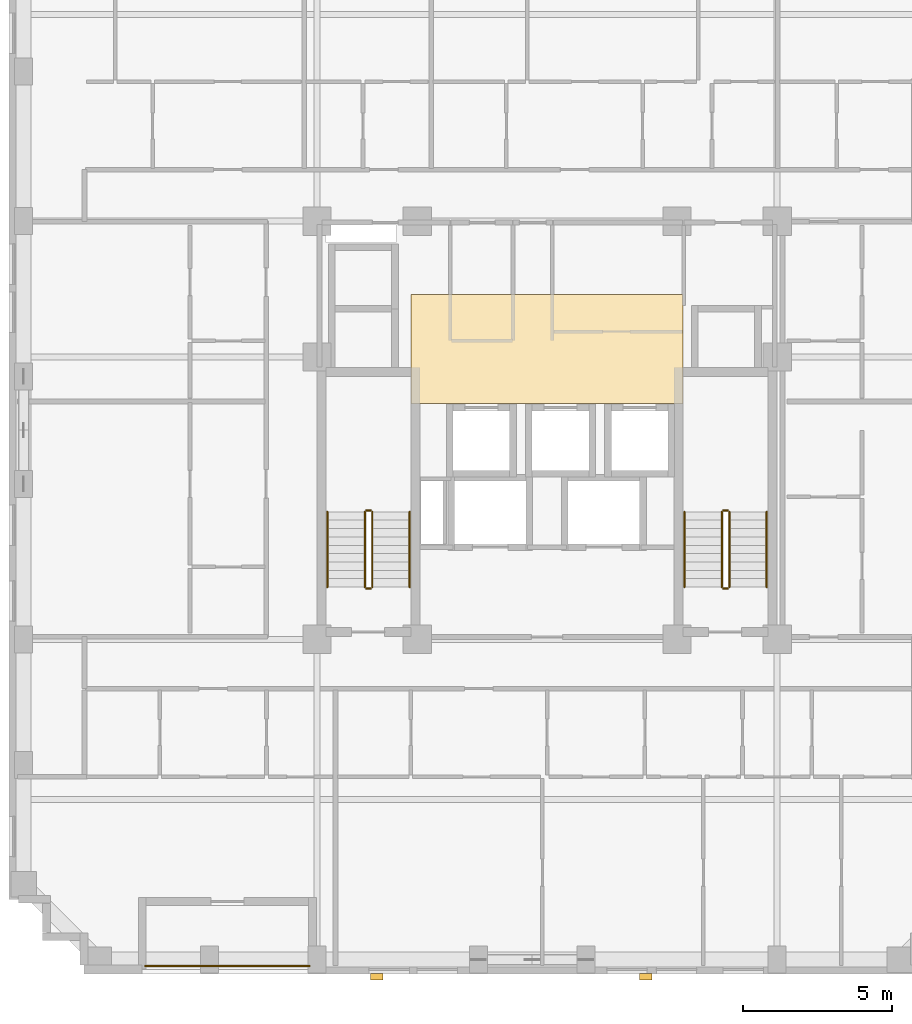
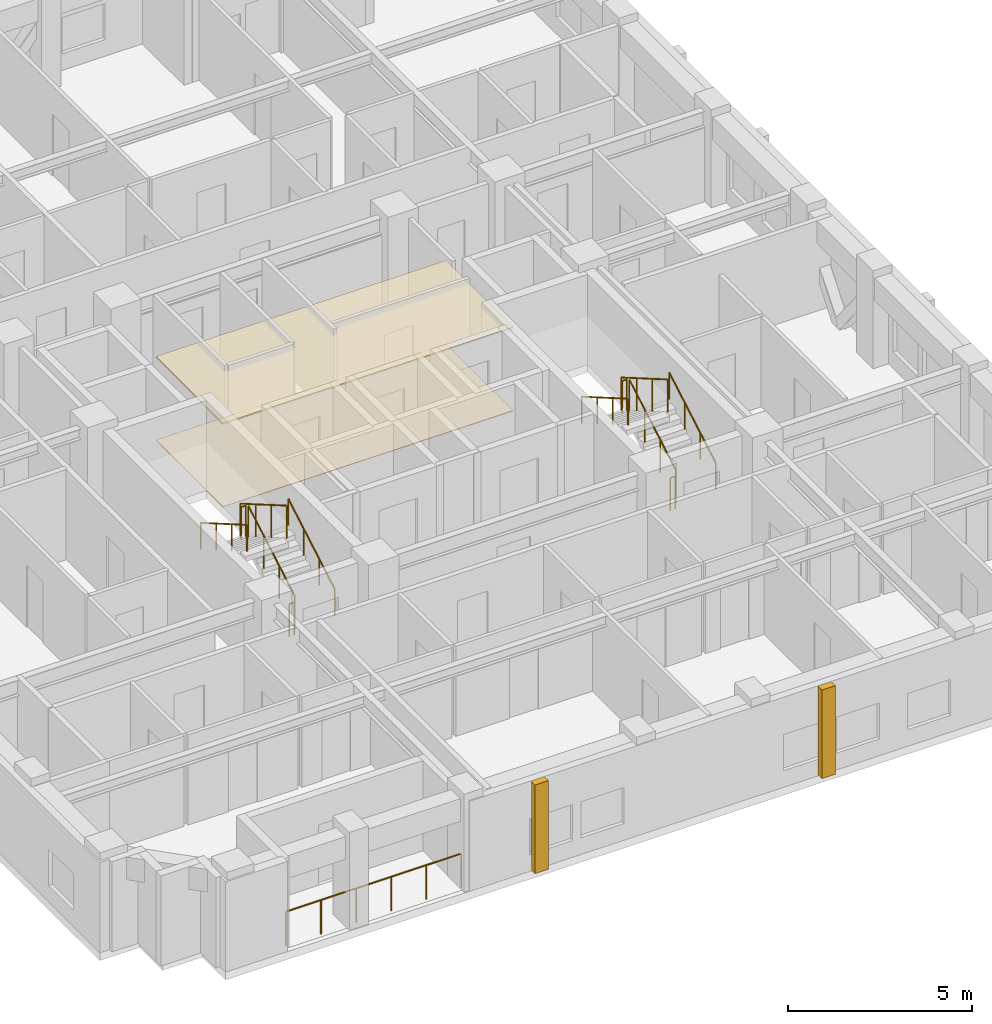
# One storey, part 10 of 11: 13 railings, 4 coverings.
"""IFC4 building model written with IfcOpenShell, lengths in metres."""

from ifc_helpers import new_model, si_unit, derived_unit, direction, frame, origin, origin_2d, place, context, subcontext, project, spatial, polyline, rectangle, circle, outline, extrude, material, layer, layer_set, type_object, element, save


model = new_model("IFC4")

# Units and contexts
model_context = context("Model", 3, precision=1e-05, world=origin(), true_north=direction((0.0, 1.0)))
body_context = subcontext(model_context, "Body", "Model", "MODEL_VIEW")
ifc_project = project(units=[si_unit("LENGTHUNIT", "METRE"), si_unit("AREAUNIT", "SQUARE_METRE"), si_unit("VOLUMEUNIT", "CUBIC_METRE"), si_unit("PLANEANGLEUNIT", "RADIAN"), si_unit("MASSUNIT", "GRAM", prefix="KILO"), derived_unit("THERMALTRANSMITTANCEUNIT", [(si_unit("MASSUNIT", "GRAM", prefix="KILO"), 1), (si_unit("TIMEUNIT", "SECOND"), -3), (si_unit("THERMODYNAMICTEMPERATUREUNIT", "KELVIN"), -1)])], contexts=[model_context])

# Site, building, storey
site_placement = place(None, origin())
site = spatial("IfcSite", under=ifc_project, at=site_placement, CompositionType="ELEMENT")
building_placement = place(site_placement, origin())
building = spatial("IfcBuilding", under=site, at=building_placement, Name="Korrvale Station Residences", CompositionType="ELEMENT")
storey_placement = place(building_placement, frame((0.0, 0.0, 163.39990234375)))
storey = spatial("IfcBuildingStorey", under=building, at=storey_placement, Name="L47", CompositionType="ELEMENT", Elevation=163.39990234375)

# Coverings
ifc_material_1 = material(Name="Perforated acoustic mineral-fibre suspended ceiling", Category="gypsum")
ifc_layer_1 = layer(ifc_material_1, 0.050048828125, Name="Perforated acoustic mineral-fibre suspended ceiling")
ifc_layer_set_1 = layer_set([ifc_layer_1], Name="Perforated acoustic mineral-fibre suspended ceiling")
covering_type_1 = type_object("IfcCoveringType", Name="COV-CLG-AC60", PredefinedType="CEILING", material=ifc_layer_set_1)
covering_1_placement = place(storey_placement, frame((0.0, 0.0, 2.739990234375)))
element("IfcCovering", 1, at=covering_1_placement, inside=storey, type_object=covering_type_1, Name="L47 Elevator Lobby Acoustic Ceiling", PredefinedType="CEILING", context=body_context, shape_type="SweptSolid", body=[
    extrude(outline(polyline([(20.949951171875, 22.89990234375), (30.050048828125, 22.89990234375), (30.050048828125, 26.550048828125), (20.949951171875, 26.550048828125), (20.949951171875, 22.89990234375)])), origin(), (0.0, 0.0, 1.0), 0.050048828125),
])
ifc_material_2 = material(Name="Polished quartz-terrazzo lobby flooring", Category="masonry")
ifc_layer_2 = layer(ifc_material_2, 0.02001953125, Name="Polished quartz-terrazzo lobby flooring")
ifc_layer_set_2 = layer_set([ifc_layer_2], Name="Polished quartz-terrazzo lobby flooring")
covering_type_2 = type_object("IfcCoveringType", Name="COV-FLR-TER20", PredefinedType="FLOORING", material=ifc_layer_set_2)
covering_2_placement = place(storey_placement, origin())
element("IfcCovering", 2, at=covering_2_placement, inside=storey, type_object=covering_type_2, Name="L47 Elevator Lobby Terrazzo Flooring", PredefinedType="FLOORING", context=body_context, shape_type="SweptSolid", body=[
    extrude(outline(polyline([(20.949951171875, 22.89990234375), (30.050048828125, 22.89990234375), (30.050048828125, 26.550048828125), (20.949951171875, 26.550048828125), (20.949951171875, 22.89990234375)])), origin(), (0.0, 0.0, 1.0), 0.02001953125),
])
ifc_material_3 = material(Name="Architectural precast concrete C45/55", Category="concrete")
ifc_layer_3 = layer(ifc_material_3, 0.219970703125, Name="Architectural precast concrete C45/55")
ifc_layer_set_3 = layer_set([ifc_layer_3], Name="Architectural precast concrete C45/55")
covering_type_3 = type_object("IfcCoveringType", Name="COV-PIER-400", PredefinedType="CLADDING", material=ifc_layer_set_3)
for number, where, z_axis, x_axis, name in (
    (3, (28.800048828125, 3.7099609375, 0.025146484375), (0.0, 0.0, 1.0), (1.0, 0.0, 0.0), "L47 Architectural Precast Facade Pier 01"),
    (4, (19.800048828125, 3.7099609375, 0.025146484375), (0.0, 0.0, 1.0), (1.0, 0.0, 0.0), "L47 Architectural Precast Facade Pier 02"),
):
    element("IfcCovering", number, at=place(storey_placement, frame(where, z_axis=z_axis, x_axis=x_axis)), inside=storey, type_object=covering_type_3, Name=name, PredefinedType="CLADDING", context=body_context, shape_type="SweptSolid", body=[
        extrude(rectangle(XDim=0.419921875, YDim=0.219970703125, at=origin_2d()), origin(), (0.0, 0.0, 1.0), 2.93994140625),
    ])

# Railings
ifc_material_4 = material(Name="Powder-coated aluminium picket loggia guard", Category="aluminium")
railing_type_1 = type_object("IfcRailingType", Name="RLG-BAL-1150", PredefinedType="GUARDRAIL", material=ifc_material_4)
railing_1_placement = place(storey_placement, frame((12.050048828125, 4.070068359375, 0.0)))
element("IfcRailing", 5, at=railing_1_placement, inside=storey, type_object=railing_type_1, Name="L47 Recessed Loggia Guardrail BAL-L47-S1", PredefinedType="GUARDRAIL", context=body_context, shape_type="SweptSolid", body=[
    extrude(circle(Radius=0.02392578125, at=origin_2d()), frame((0.0, 0.0, 1.1259765625), z_axis=(1.0, 0.0, 0.0), x_axis=(0.0, 1.0, 0.0)), (0.0, 0.0, 1.0), 5.5),
    extrude(circle(Radius=0.02099609375, at=origin_2d()), origin(), (0.0, 0.0, 1.0), 1.101806640625),
    extrude(circle(Radius=0.02099609375, at=origin_2d()), frame((1.10009765625, 0.0, 0.0)), (0.0, 0.0, 1.0), 1.101806640625),
    extrude(circle(Radius=0.02099609375, at=origin_2d()), frame((2.199951171875, 0.0, 0.0)), (0.0, 0.0, 1.0), 1.101806640625),
    extrude(circle(Radius=0.02099609375, at=origin_2d()), frame((3.300048828125, 0.0, 0.0)), (0.0, 0.0, 1.0), 1.101806640625),
    extrude(circle(Radius=0.02099609375, at=origin_2d()), frame((4.39990234375, 0.0, 0.0)), (0.0, 0.0, 1.0), 1.101806640625),
    extrude(circle(Radius=0.02099609375, at=origin_2d()), frame((5.5, 0.0, 0.0)), (0.0, 0.0, 1.0), 1.101806640625),
])
ifc_material_5 = material(Name="Brushed stainless-steel continuous stair handrail", Category="steel")
railing_type_2 = type_object("IfcRailingType", Name="RLG-SHND-900", PredefinedType="HANDRAIL", material=ifc_material_5)
railing_2_placement = place(storey_placement, frame((20.89990234375, 16.75, 0.16259765625)))
element("IfcRailing", 6, at=railing_2_placement, inside=storey, type_object=railing_type_2, Name="L47 ST-1 stair handrail 1", PredefinedType="HANDRAIL", context=body_context, shape_type="SweptSolid", body=[
    extrude(circle(Radius=0.02392578125, at=origin_2d()), frame((0.0, 0.0, 0.8759765625), z_axis=(0.0, 0.864913338283, 0.50192122615), x_axis=(-1.0, 0.0, 0.0)), (0.0, 0.0, 1.0), 2.91357421875),
    extrude(circle(Radius=0.02099609375, at=origin_2d()), origin(), (0.0, 0.0, 1.0), 0.851806640625),
    extrude(circle(Radius=0.02099609375, at=origin_2d()), frame((0.0, 0.840087890625, 0.487548828125)), (0.0, 0.0, 1.0), 0.851806640625),
    extrude(circle(Radius=0.02099609375, at=origin_2d()), frame((0.0, 1.679931640625, 0.974853515625)), (0.0, 0.0, 1.0), 0.851806640625),
    extrude(circle(Radius=0.02099609375, at=origin_2d()), frame((0.0, 2.52001953125, 1.46240234375)), (0.0, 0.0, 1.0), 0.851806640625),
])
railing_3_placement = place(storey_placement, frame((18.14990234375, 19.27001953125, 1.78759765625)))
element("IfcRailing", 7, at=railing_3_placement, inside=storey, type_object=railing_type_2, Name="L47 ST-1 stair handrail 2", PredefinedType="HANDRAIL", context=body_context, shape_type="SweptSolid", body=[
    extrude(circle(Radius=0.02392578125, at=origin_2d()), frame((0.0, 0.0, 0.8759765625), z_axis=(0.0, -0.864913338283, 0.50192122615), x_axis=(1.0, 0.0, 0.0)), (0.0, 0.0, 1.0), 2.91357421875),
    extrude(circle(Radius=0.02099609375, at=origin_2d()), origin(), (0.0, 0.0, 1.0), 0.851806640625),
    extrude(circle(Radius=0.02099609375, at=origin_2d()), frame((0.0, -0.840087890625, 0.487548828125)), (0.0, 0.0, 1.0), 0.851806640625),
    extrude(circle(Radius=0.02099609375, at=origin_2d()), frame((0.0, -1.679931640625, 0.974853515625)), (0.0, 0.0, 1.0), 0.851806640625),
    extrude(circle(Radius=0.02099609375, at=origin_2d()), frame((0.0, -2.52001953125, 1.46240234375)), (0.0, 0.0, 1.0), 0.851806640625),
])
railing_4_placement = place(storey_placement, frame((32.85009765625, 16.75, 0.16259765625)))
element("IfcRailing", 8, at=railing_4_placement, inside=storey, type_object=railing_type_2, Name="L47 ST-2 stair handrail 1", PredefinedType="HANDRAIL", context=body_context, shape_type="SweptSolid", body=[
    extrude(circle(Radius=0.02392578125, at=origin_2d()), frame((0.0, 0.0, 0.8759765625), z_axis=(0.0, 0.864913338283, 0.50192122615), x_axis=(-1.0, 0.0, 0.0)), (0.0, 0.0, 1.0), 2.91357421875),
    extrude(circle(Radius=0.02099609375, at=origin_2d()), origin(), (0.0, 0.0, 1.0), 0.851806640625),
    extrude(circle(Radius=0.02099609375, at=origin_2d()), frame((0.0, 0.840087890625, 0.487548828125)), (0.0, 0.0, 1.0), 0.851806640625),
    extrude(circle(Radius=0.02099609375, at=origin_2d()), frame((0.0, 1.679931640625, 0.974853515625)), (0.0, 0.0, 1.0), 0.851806640625),
    extrude(circle(Radius=0.02099609375, at=origin_2d()), frame((0.0, 2.52001953125, 1.46240234375)), (0.0, 0.0, 1.0), 0.851806640625),
])
railing_5_placement = place(storey_placement, frame((30.10009765625, 19.27001953125, 1.78759765625)))
element("IfcRailing", 9, at=railing_5_placement, inside=storey, type_object=railing_type_2, Name="L47 ST-2 stair handrail 2", PredefinedType="HANDRAIL", context=body_context, shape_type="SweptSolid", body=[
    extrude(circle(Radius=0.02392578125, at=origin_2d()), frame((0.0, 0.0, 0.8759765625), z_axis=(0.0, -0.864913338283, 0.50192122615), x_axis=(1.0, 0.0, 0.0)), (0.0, 0.0, 1.0), 2.91357421875),
    extrude(circle(Radius=0.02099609375, at=origin_2d()), origin(), (0.0, 0.0, 1.0), 0.851806640625),
    extrude(circle(Radius=0.02099609375, at=origin_2d()), frame((0.0, -0.840087890625, 0.487548828125)), (0.0, 0.0, 1.0), 0.851806640625),
    extrude(circle(Radius=0.02099609375, at=origin_2d()), frame((0.0, -1.679931640625, 0.974853515625)), (0.0, 0.0, 1.0), 0.851806640625),
    extrude(circle(Radius=0.02099609375, at=origin_2d()), frame((0.0, -2.52001953125, 1.46240234375)), (0.0, 0.0, 1.0), 0.851806640625),
])
ifc_material_6 = material(Name="Galvanised painted tubular steel stair guard", Category="steel")
railing_type_3 = type_object("IfcRailingType", Name="RLG-STR-1100", PredefinedType="GUARDRAIL", material=ifc_material_6)
railing_6_placement = place(storey_placement, frame((19.64990234375, 16.75, 0.16259765625)))
element("IfcRailing", 10, at=railing_6_placement, inside=storey, type_object=railing_type_3, Name="L47 ST-1 stair guard 1", PredefinedType="GUARDRAIL", context=body_context, shape_type="SweptSolid", body=[
    extrude(circle(Radius=0.02392578125, at=origin_2d()), frame((0.0, 0.0, 1.076171875), z_axis=(0.0, 0.864913338283, 0.50192122615), x_axis=(-1.0, 0.0, 0.0)), (0.0, 0.0, 1.0), 2.91357421875),
    extrude(circle(Radius=0.02099609375, at=origin_2d()), origin(), (0.0, 0.0, 1.0), 1.052001953125),
    extrude(circle(Radius=0.02099609375, at=origin_2d()), frame((0.0, 0.840087890625, 0.487548828125)), (0.0, 0.0, 1.0), 1.052001953125),
    extrude(circle(Radius=0.02099609375, at=origin_2d()), frame((0.0, 1.679931640625, 0.974853515625)), (0.0, 0.0, 1.0), 1.052001953125),
    extrude(circle(Radius=0.02099609375, at=origin_2d()), frame((0.0, 2.52001953125, 1.46240234375)), (0.0, 0.0, 1.0), 1.052001953125),
])
railing_7_placement = place(storey_placement, frame((19.60009765625, 19.320068359375, 1.625)))
element("IfcRailing", 11, at=railing_7_placement, inside=storey, type_object=railing_type_3, Name="L47 ST-1 stair guard 2", PredefinedType="GUARDRAIL", context=body_context, shape_type="SweptSolid", body=[
    extrude(circle(Radius=0.02392578125, at=origin_2d()), frame((0.0, 0.0, 1.076171875), z_axis=(-1.0, 0.0, 0.0), x_axis=(0.0, -1.0, 0.0)), (0.0, 0.0, 1.0), 0.150146484375),
    extrude(circle(Radius=0.02099609375, at=origin_2d()), origin(), (0.0, 0.0, 1.0), 1.052001953125),
    extrude(circle(Radius=0.02099609375, at=origin_2d()), frame((-0.150146484375, 0.0, 0.0)), (0.0, 0.0, 1.0), 1.052001953125),
])
railing_8_placement = place(storey_placement, frame((19.39990234375, 19.27001953125, 1.78759765625)))
element("IfcRailing", 12, at=railing_8_placement, inside=storey, type_object=railing_type_3, Name="L47 ST-1 stair guard 3", PredefinedType="GUARDRAIL", context=body_context, shape_type="SweptSolid", body=[
    extrude(circle(Radius=0.02392578125, at=origin_2d()), frame((0.0, 0.0, 1.076171875), z_axis=(0.0, -0.864913338283, 0.50192122615), x_axis=(1.0, 0.0, 0.0)), (0.0, 0.0, 1.0), 2.91357421875),
    extrude(circle(Radius=0.02099609375, at=origin_2d()), origin(), (0.0, 0.0, 1.0), 1.052001953125),
    extrude(circle(Radius=0.02099609375, at=origin_2d()), frame((0.0, -0.840087890625, 0.487548828125)), (0.0, 0.0, 1.0), 1.052001953125),
    extrude(circle(Radius=0.02099609375, at=origin_2d()), frame((0.0, -1.679931640625, 0.974853515625)), (0.0, 0.0, 1.0), 1.052001953125),
    extrude(circle(Radius=0.02099609375, at=origin_2d()), frame((0.0, -2.52001953125, 1.46240234375)), (0.0, 0.0, 1.0), 1.052001953125),
])
railing_9_placement = place(storey_placement, frame((19.60009765625, 16.699951171875, 0.0)))
element("IfcRailing", 13, at=railing_9_placement, inside=storey, type_object=railing_type_3, Name="L47 ST-1 stair guard 4", PredefinedType="GUARDRAIL", context=body_context, shape_type="SweptSolid", body=[
    extrude(circle(Radius=0.02392578125, at=origin_2d()), frame((0.0, 0.0, 1.076171875), z_axis=(-1.0, 0.0, 0.0), x_axis=(0.0, -1.0, 0.0)), (0.0, 0.0, 1.0), 0.150146484375),
    extrude(circle(Radius=0.02099609375, at=origin_2d()), origin(), (0.0, 0.0, 1.0), 1.052001953125),
    extrude(circle(Radius=0.02099609375, at=origin_2d()), frame((-0.150146484375, 0.0, 0.0)), (0.0, 0.0, 1.0), 1.052001953125),
])
railing_10_placement = place(storey_placement, frame((31.60009765625, 16.75, 0.16259765625)))
element("IfcRailing", 14, at=railing_10_placement, inside=storey, type_object=railing_type_3, Name="L47 ST-2 stair guard 1", PredefinedType="GUARDRAIL", context=body_context, shape_type="SweptSolid", body=[
    extrude(circle(Radius=0.02392578125, at=origin_2d()), frame((0.0, 0.0, 1.076171875), z_axis=(0.0, 0.864913338283, 0.50192122615), x_axis=(-1.0, 0.0, 0.0)), (0.0, 0.0, 1.0), 2.91357421875),
    extrude(circle(Radius=0.02099609375, at=origin_2d()), origin(), (0.0, 0.0, 1.0), 1.052001953125),
    extrude(circle(Radius=0.02099609375, at=origin_2d()), frame((0.0, 0.840087890625, 0.487548828125)), (0.0, 0.0, 1.0), 1.052001953125),
    extrude(circle(Radius=0.02099609375, at=origin_2d()), frame((0.0, 1.679931640625, 0.974853515625)), (0.0, 0.0, 1.0), 1.052001953125),
    extrude(circle(Radius=0.02099609375, at=origin_2d()), frame((0.0, 2.52001953125, 1.46240234375)), (0.0, 0.0, 1.0), 1.052001953125),
])
railing_11_placement = place(storey_placement, frame((31.550048828125, 19.320068359375, 1.625)))
element("IfcRailing", 15, at=railing_11_placement, inside=storey, type_object=railing_type_3, Name="L47 ST-2 stair guard 2", PredefinedType="GUARDRAIL", context=body_context, shape_type="SweptSolid", body=[
    extrude(circle(Radius=0.02392578125, at=origin_2d()), frame((0.0, 0.0, 1.076171875), z_axis=(-1.0, 0.0, 0.0), x_axis=(0.0, -1.0, 0.0)), (0.0, 0.0, 1.0), 0.150146484375),
    extrude(circle(Radius=0.02099609375, at=origin_2d()), origin(), (0.0, 0.0, 1.0), 1.052001953125),
    extrude(circle(Radius=0.02099609375, at=origin_2d()), frame((-0.150146484375, 0.0, 0.0)), (0.0, 0.0, 1.0), 1.052001953125),
])
railing_12_placement = place(storey_placement, frame((31.35009765625, 19.27001953125, 1.78759765625)))
element("IfcRailing", 16, at=railing_12_placement, inside=storey, type_object=railing_type_3, Name="L47 ST-2 stair guard 3", PredefinedType="GUARDRAIL", context=body_context, shape_type="SweptSolid", body=[
    extrude(circle(Radius=0.02392578125, at=origin_2d()), frame((0.0, 0.0, 1.076171875), z_axis=(0.0, -0.864913338283, 0.50192122615), x_axis=(1.0, 0.0, 0.0)), (0.0, 0.0, 1.0), 2.91357421875),
    extrude(circle(Radius=0.02099609375, at=origin_2d()), origin(), (0.0, 0.0, 1.0), 1.052001953125),
    extrude(circle(Radius=0.02099609375, at=origin_2d()), frame((0.0, -0.840087890625, 0.487548828125)), (0.0, 0.0, 1.0), 1.052001953125),
    extrude(circle(Radius=0.02099609375, at=origin_2d()), frame((0.0, -1.679931640625, 0.974853515625)), (0.0, 0.0, 1.0), 1.052001953125),
    extrude(circle(Radius=0.02099609375, at=origin_2d()), frame((0.0, -2.52001953125, 1.46240234375)), (0.0, 0.0, 1.0), 1.052001953125),
])
railing_13_placement = place(storey_placement, frame((31.550048828125, 16.699951171875, 0.0)))
element("IfcRailing", 17, at=railing_13_placement, inside=storey, type_object=railing_type_3, Name="L47 ST-2 stair guard 4", PredefinedType="GUARDRAIL", context=body_context, shape_type="SweptSolid", body=[
    extrude(circle(Radius=0.02392578125, at=origin_2d()), frame((0.0, 0.0, 1.076171875), z_axis=(-1.0, 0.0, 0.0), x_axis=(0.0, -1.0, 0.0)), (0.0, 0.0, 1.0), 0.150146484375),
    extrude(circle(Radius=0.02099609375, at=origin_2d()), origin(), (0.0, 0.0, 1.0), 1.052001953125),
    extrude(circle(Radius=0.02099609375, at=origin_2d()), frame((-0.150146484375, 0.0, 0.0)), (0.0, 0.0, 1.0), 1.052001953125),
])

save(model, "model.ifc")
